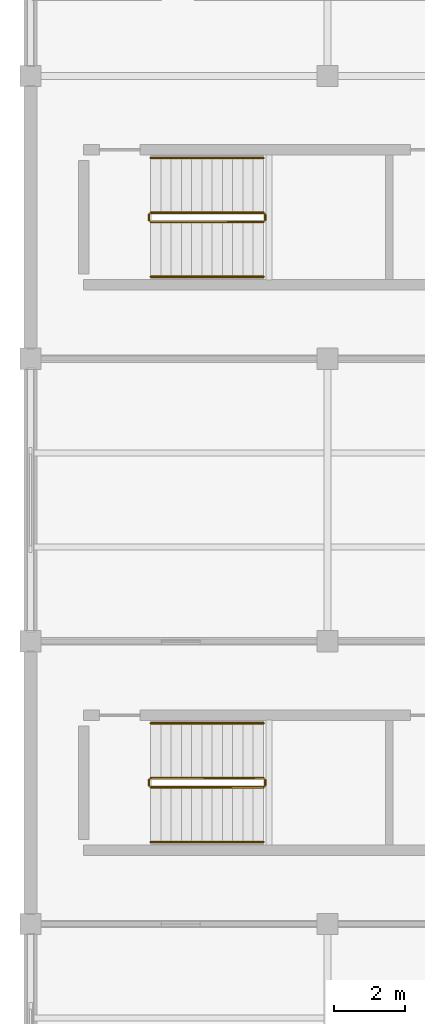
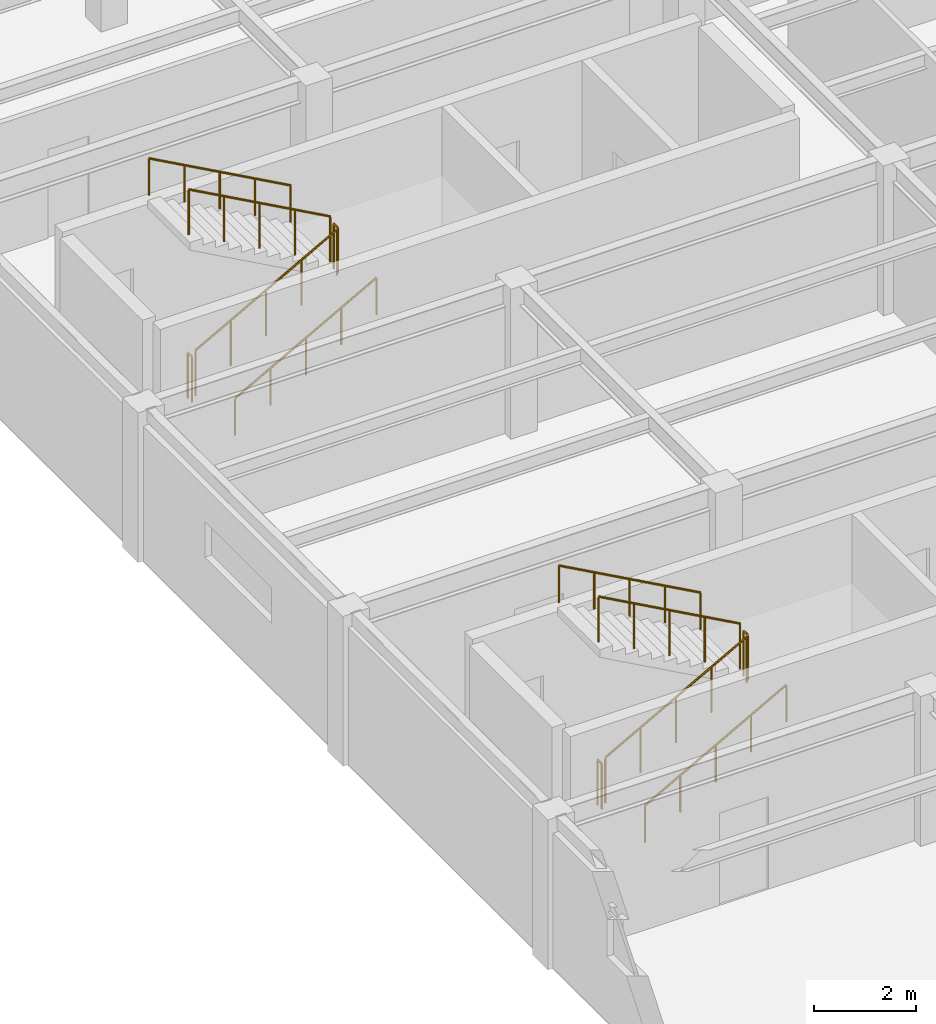
# One storey, part 91 of 96: 12 railings.
"""IFC4 building model written with IfcOpenShell, lengths in metres."""

from ifc_helpers import new_model, si_unit, direction, frame, origin, origin_2d, place, context, subcontext, project, spatial, circle, extrude, material, type_object, element, save


model = new_model("IFC4")

# Units and contexts
model_context = context("Model", 3, precision=1e-05, world=origin(), true_north=direction((0.0, 1.0)))
body_context = subcontext(model_context, "Body", "Model", "MODEL_VIEW")
ifc_project = project(units=[si_unit("LENGTHUNIT", "METRE"), si_unit("AREAUNIT", "SQUARE_METRE"), si_unit("VOLUMEUNIT", "CUBIC_METRE"), si_unit("PLANEANGLEUNIT", "RADIAN"), si_unit("MASSUNIT", "GRAM", prefix="KILO")], contexts=[model_context])

# Site, building, storey
site_placement = place(None, origin())
site = spatial("IfcSite", under=ifc_project, at=site_placement, CompositionType="ELEMENT")
building_placement = place(site_placement, origin())
building = spatial("IfcBuilding", under=site, at=building_placement, Name="Kranzveld Transit Interchange", CompositionType="ELEMENT")
storey_placement = place(building_placement, frame((0.0, 0.0, 9.52001953125)))
storey = spatial("IfcBuildingStorey", under=building, at=storey_placement, Name="L02", CompositionType="ELEMENT", Elevation=9.52001953125)

# Railings
ifc_material_1 = material(Name="Steel S355JR", Category="steel")
railing_type_1 = type_object("IfcRailingType", Name="Stair & Ramp Handrail Steel 900", PredefinedType="HANDRAIL", material=ifc_material_1)
railing_1_placement = place(storey_placement, frame((3.39990234375, 66.320068359375, 0.159912109375)))
element("IfcRailing", 1, at=railing_1_placement, inside=storey, type_object=railing_type_1, Name="L02 ST-C1 stair handrail 1", PredefinedType="HANDRAIL", context=body_context, shape_type="SweptSolid", body=[
    extrude(circle(Radius=0.02392578125, at=origin_2d()), frame((0.0, 0.0, 0.8759765625), z_axis=(0.875588434347, 0.0, 0.483057857443), x_axis=(0.0, 1.0, 0.0)), (0.0, 0.0, 1.0), 3.6435546875),
    extrude(circle(Radius=0.02099609375, at=origin_2d()), origin(), (0.0, 0.0, 1.0), 0.849853515625),
    extrude(circle(Radius=0.02099609375, at=origin_2d()), frame((0.797607421875, 0.0, 0.43994140625)), (0.0, 0.0, 1.0), 0.849853515625),
    extrude(circle(Radius=0.02099609375, at=origin_2d()), frame((1.59521484375, 0.0, 0.8798828125)), (0.0, 0.0, 1.0), 0.849853515625),
    extrude(circle(Radius=0.02099609375, at=origin_2d()), frame((2.392578125, 0.0, 1.320068359375)), (0.0, 0.0, 1.0), 0.849853515625),
    extrude(circle(Radius=0.02099609375, at=origin_2d()), frame((3.190185546875, 0.0, 1.760009765625)), (0.0, 0.0, 1.0), 0.849853515625),
])
railing_2_placement = place(storey_placement, frame((6.590087890625, 69.679931640625, 2.080078125)))
element("IfcRailing", 2, at=railing_2_placement, inside=storey, type_object=railing_type_1, Name="L02 ST-C1 stair handrail 2", PredefinedType="HANDRAIL", context=body_context, shape_type="SweptSolid", body=[
    extrude(circle(Radius=0.02392578125, at=origin_2d()), frame((0.0, 0.0, 0.8759765625), z_axis=(-0.875588434347, 0.0, 0.483057857443), x_axis=(0.0, -1.0, 0.0)), (0.0, 0.0, 1.0), 3.6435546875),
    extrude(circle(Radius=0.02099609375, at=origin_2d()), origin(), (0.0, 0.0, 1.0), 0.849853515625),
    extrude(circle(Radius=0.02099609375, at=origin_2d()), frame((-0.797607421875, 0.0, 0.43994140625)), (0.0, 0.0, 1.0), 0.849853515625),
    extrude(circle(Radius=0.02099609375, at=origin_2d()), frame((-1.59521484375, 0.0, 0.8798828125)), (0.0, 0.0, 1.0), 0.849853515625),
    extrude(circle(Radius=0.02099609375, at=origin_2d()), frame((-2.392578125, 0.0, 1.320068359375)), (0.0, 0.0, 1.0), 0.849853515625),
    extrude(circle(Radius=0.02099609375, at=origin_2d()), frame((-3.190185546875, 0.0, 1.760009765625)), (0.0, 0.0, 1.0), 0.849853515625),
])
railing_3_placement = place(storey_placement, frame((3.39990234375, 82.320068359375, 0.159912109375)))
element("IfcRailing", 3, at=railing_3_placement, inside=storey, type_object=railing_type_1, Name="L02 ST-C2 stair handrail 1", PredefinedType="HANDRAIL", context=body_context, shape_type="SweptSolid", body=[
    extrude(circle(Radius=0.02392578125, at=origin_2d()), frame((0.0, 0.0, 0.8759765625), z_axis=(0.875588434347, 0.0, 0.483057857443), x_axis=(0.0, 1.0, 0.0)), (0.0, 0.0, 1.0), 3.6435546875),
    extrude(circle(Radius=0.02099609375, at=origin_2d()), origin(), (0.0, 0.0, 1.0), 0.849853515625),
    extrude(circle(Radius=0.02099609375, at=origin_2d()), frame((0.797607421875, 0.0, 0.43994140625)), (0.0, 0.0, 1.0), 0.849853515625),
    extrude(circle(Radius=0.02099609375, at=origin_2d()), frame((1.59521484375, 0.0, 0.8798828125)), (0.0, 0.0, 1.0), 0.849853515625),
    extrude(circle(Radius=0.02099609375, at=origin_2d()), frame((2.392578125, 0.0, 1.320068359375)), (0.0, 0.0, 1.0), 0.849853515625),
    extrude(circle(Radius=0.02099609375, at=origin_2d()), frame((3.190185546875, 0.0, 1.760009765625)), (0.0, 0.0, 1.0), 0.849853515625),
])
railing_4_placement = place(storey_placement, frame((6.590087890625, 85.679931640625, 2.080078125)))
element("IfcRailing", 4, at=railing_4_placement, inside=storey, type_object=railing_type_1, Name="L02 ST-C2 stair handrail 2", PredefinedType="HANDRAIL", context=body_context, shape_type="SweptSolid", body=[
    extrude(circle(Radius=0.02392578125, at=origin_2d()), frame((0.0, 0.0, 0.8759765625), z_axis=(-0.875588434347, 0.0, 0.483057857443), x_axis=(0.0, -1.0, 0.0)), (0.0, 0.0, 1.0), 3.6435546875),
    extrude(circle(Radius=0.02099609375, at=origin_2d()), origin(), (0.0, 0.0, 1.0), 0.849853515625),
    extrude(circle(Radius=0.02099609375, at=origin_2d()), frame((-0.797607421875, 0.0, 0.43994140625)), (0.0, 0.0, 1.0), 0.849853515625),
    extrude(circle(Radius=0.02099609375, at=origin_2d()), frame((-1.59521484375, 0.0, 0.8798828125)), (0.0, 0.0, 1.0), 0.849853515625),
    extrude(circle(Radius=0.02099609375, at=origin_2d()), frame((-2.392578125, 0.0, 1.320068359375)), (0.0, 0.0, 1.0), 0.849853515625),
    extrude(circle(Radius=0.02099609375, at=origin_2d()), frame((-3.190185546875, 0.0, 1.760009765625)), (0.0, 0.0, 1.0), 0.849853515625),
])
ifc_material_2 = material(Name="Steel S355JR", Category="steel")
railing_type_2 = type_object("IfcRailingType", Name="Stair Well Guardrail Steel 1100", PredefinedType="GUARDRAIL", material=ifc_material_2)
railing_5_placement = place(storey_placement, frame((3.39990234375, 67.8701171875, 0.159912109375)))
element("IfcRailing", 5, at=railing_5_placement, inside=storey, type_object=railing_type_2, Name="L02 ST-C1 stair guard 1", PredefinedType="GUARDRAIL", context=body_context, shape_type="SweptSolid", body=[
    extrude(circle(Radius=0.02392578125, at=origin_2d()), frame((0.0, 0.0, 1.076171875), z_axis=(0.875588434347, 0.0, 0.483057857443), x_axis=(0.0, 1.0, 0.0)), (0.0, 0.0, 1.0), 3.6435546875),
    extrude(circle(Radius=0.02099609375, at=origin_2d()), origin(), (0.0, 0.0, 1.0), 1.050048828125),
    extrude(circle(Radius=0.02099609375, at=origin_2d()), frame((0.797607421875, 0.0, 0.43994140625)), (0.0, 0.0, 1.0), 1.050048828125),
    extrude(circle(Radius=0.02099609375, at=origin_2d()), frame((1.59521484375, 0.0, 0.8798828125)), (0.0, 0.0, 1.0), 1.050048828125),
    extrude(circle(Radius=0.02099609375, at=origin_2d()), frame((2.392578125, 0.0, 1.320068359375)), (0.0, 0.0, 1.0), 1.050048828125),
    extrude(circle(Radius=0.02099609375, at=origin_2d()), frame((3.190185546875, 0.0, 1.760009765625)), (0.0, 0.0, 1.0), 1.050048828125),
])
railing_6_placement = place(storey_placement, frame((6.639892578125, 67.919921875, 1.919921875)))
element("IfcRailing", 6, at=railing_6_placement, inside=storey, type_object=railing_type_2, Name="L02 ST-C1 stair guard 2", PredefinedType="GUARDRAIL", context=body_context, shape_type="SweptSolid", body=[
    extrude(circle(Radius=0.02392578125, at=origin_2d()), frame((0.0, 0.0, 1.076171875), z_axis=(0.0, 1.0, 0.0), x_axis=(-1.0, 0.0, 0.0)), (0.0, 0.0, 1.0), 0.16015625),
    extrude(circle(Radius=0.02099609375, at=origin_2d()), origin(), (0.0, 0.0, 1.0), 1.050048828125),
    extrude(circle(Radius=0.02099609375, at=origin_2d()), frame((0.0, 0.16015625, 0.0)), (0.0, 0.0, 1.0), 1.050048828125),
])
railing_7_placement = place(storey_placement, frame((6.590087890625, 68.1298828125, 2.080078125)))
element("IfcRailing", 7, at=railing_7_placement, inside=storey, type_object=railing_type_2, Name="L02 ST-C1 stair guard 3", PredefinedType="GUARDRAIL", context=body_context, shape_type="SweptSolid", body=[
    extrude(circle(Radius=0.02392578125, at=origin_2d()), frame((0.0, 0.0, 1.076171875), z_axis=(-0.875588434347, 0.0, 0.483057857443), x_axis=(0.0, -1.0, 0.0)), (0.0, 0.0, 1.0), 3.6435546875),
    extrude(circle(Radius=0.02099609375, at=origin_2d()), origin(), (0.0, 0.0, 1.0), 1.050048828125),
    extrude(circle(Radius=0.02099609375, at=origin_2d()), frame((-0.797607421875, 0.0, 0.43994140625)), (0.0, 0.0, 1.0), 1.050048828125),
    extrude(circle(Radius=0.02099609375, at=origin_2d()), frame((-1.59521484375, 0.0, 0.8798828125)), (0.0, 0.0, 1.0), 1.050048828125),
    extrude(circle(Radius=0.02099609375, at=origin_2d()), frame((-2.392578125, 0.0, 1.320068359375)), (0.0, 0.0, 1.0), 1.050048828125),
    extrude(circle(Radius=0.02099609375, at=origin_2d()), frame((-3.190185546875, 0.0, 1.760009765625)), (0.0, 0.0, 1.0), 1.050048828125),
])
railing_8_placement = place(storey_placement, frame((3.35009765625, 67.919921875, 0.0)))
element("IfcRailing", 8, at=railing_8_placement, inside=storey, type_object=railing_type_2, Name="L02 ST-C1 stair guard 4", PredefinedType="GUARDRAIL", context=body_context, shape_type="SweptSolid", body=[
    extrude(circle(Radius=0.02392578125, at=origin_2d()), frame((0.0, 0.0, 1.076171875), z_axis=(0.0, 1.0, 0.0), x_axis=(-1.0, 0.0, 0.0)), (0.0, 0.0, 1.0), 0.16015625),
    extrude(circle(Radius=0.02099609375, at=origin_2d()), origin(), (0.0, 0.0, 1.0), 1.050048828125),
    extrude(circle(Radius=0.02099609375, at=origin_2d()), frame((0.0, 0.16015625, 0.0)), (0.0, 0.0, 1.0), 1.050048828125),
])
railing_9_placement = place(storey_placement, frame((3.39990234375, 83.8701171875, 0.159912109375)))
element("IfcRailing", 9, at=railing_9_placement, inside=storey, type_object=railing_type_2, Name="L02 ST-C2 stair guard 1", PredefinedType="GUARDRAIL", context=body_context, shape_type="SweptSolid", body=[
    extrude(circle(Radius=0.02392578125, at=origin_2d()), frame((0.0, 0.0, 1.076171875), z_axis=(0.875588434347, 0.0, 0.483057857443), x_axis=(0.0, 1.0, 0.0)), (0.0, 0.0, 1.0), 3.6435546875),
    extrude(circle(Radius=0.02099609375, at=origin_2d()), origin(), (0.0, 0.0, 1.0), 1.050048828125),
    extrude(circle(Radius=0.02099609375, at=origin_2d()), frame((0.797607421875, 0.0, 0.43994140625)), (0.0, 0.0, 1.0), 1.050048828125),
    extrude(circle(Radius=0.02099609375, at=origin_2d()), frame((1.59521484375, 0.0, 0.8798828125)), (0.0, 0.0, 1.0), 1.050048828125),
    extrude(circle(Radius=0.02099609375, at=origin_2d()), frame((2.392578125, 0.0, 1.320068359375)), (0.0, 0.0, 1.0), 1.050048828125),
    extrude(circle(Radius=0.02099609375, at=origin_2d()), frame((3.190185546875, 0.0, 1.760009765625)), (0.0, 0.0, 1.0), 1.050048828125),
])
railing_10_placement = place(storey_placement, frame((6.639892578125, 83.919921875, 1.919921875)))
element("IfcRailing", 10, at=railing_10_placement, inside=storey, type_object=railing_type_2, Name="L02 ST-C2 stair guard 2", PredefinedType="GUARDRAIL", context=body_context, shape_type="SweptSolid", body=[
    extrude(circle(Radius=0.02392578125, at=origin_2d()), frame((0.0, 0.0, 1.076171875), z_axis=(0.0, 1.0, 0.0), x_axis=(-1.0, 0.0, 0.0)), (0.0, 0.0, 1.0), 0.16015625),
    extrude(circle(Radius=0.02099609375, at=origin_2d()), origin(), (0.0, 0.0, 1.0), 1.050048828125),
    extrude(circle(Radius=0.02099609375, at=origin_2d()), frame((0.0, 0.16015625, 0.0)), (0.0, 0.0, 1.0), 1.050048828125),
])
railing_11_placement = place(storey_placement, frame((6.590087890625, 84.1298828125, 2.080078125)))
element("IfcRailing", 11, at=railing_11_placement, inside=storey, type_object=railing_type_2, Name="L02 ST-C2 stair guard 3", PredefinedType="GUARDRAIL", context=body_context, shape_type="SweptSolid", body=[
    extrude(circle(Radius=0.02392578125, at=origin_2d()), frame((0.0, 0.0, 1.076171875), z_axis=(-0.875588434347, 0.0, 0.483057857443), x_axis=(0.0, -1.0, 0.0)), (0.0, 0.0, 1.0), 3.6435546875),
    extrude(circle(Radius=0.02099609375, at=origin_2d()), origin(), (0.0, 0.0, 1.0), 1.050048828125),
    extrude(circle(Radius=0.02099609375, at=origin_2d()), frame((-0.797607421875, 0.0, 0.43994140625)), (0.0, 0.0, 1.0), 1.050048828125),
    extrude(circle(Radius=0.02099609375, at=origin_2d()), frame((-1.59521484375, 0.0, 0.8798828125)), (0.0, 0.0, 1.0), 1.050048828125),
    extrude(circle(Radius=0.02099609375, at=origin_2d()), frame((-2.392578125, 0.0, 1.320068359375)), (0.0, 0.0, 1.0), 1.050048828125),
    extrude(circle(Radius=0.02099609375, at=origin_2d()), frame((-3.190185546875, 0.0, 1.760009765625)), (0.0, 0.0, 1.0), 1.050048828125),
])
railing_12_placement = place(storey_placement, frame((3.35009765625, 83.919921875, 0.0)))
element("IfcRailing", 12, at=railing_12_placement, inside=storey, type_object=railing_type_2, Name="L02 ST-C2 stair guard 4", PredefinedType="GUARDRAIL", context=body_context, shape_type="SweptSolid", body=[
    extrude(circle(Radius=0.02392578125, at=origin_2d()), frame((0.0, 0.0, 1.076171875), z_axis=(0.0, 1.0, 0.0), x_axis=(-1.0, 0.0, 0.0)), (0.0, 0.0, 1.0), 0.16015625),
    extrude(circle(Radius=0.02099609375, at=origin_2d()), origin(), (0.0, 0.0, 1.0), 1.050048828125),
    extrude(circle(Radius=0.02099609375, at=origin_2d()), frame((0.0, 0.16015625, 0.0)), (0.0, 0.0, 1.0), 1.050048828125),
])

save(model, "model.ifc")
